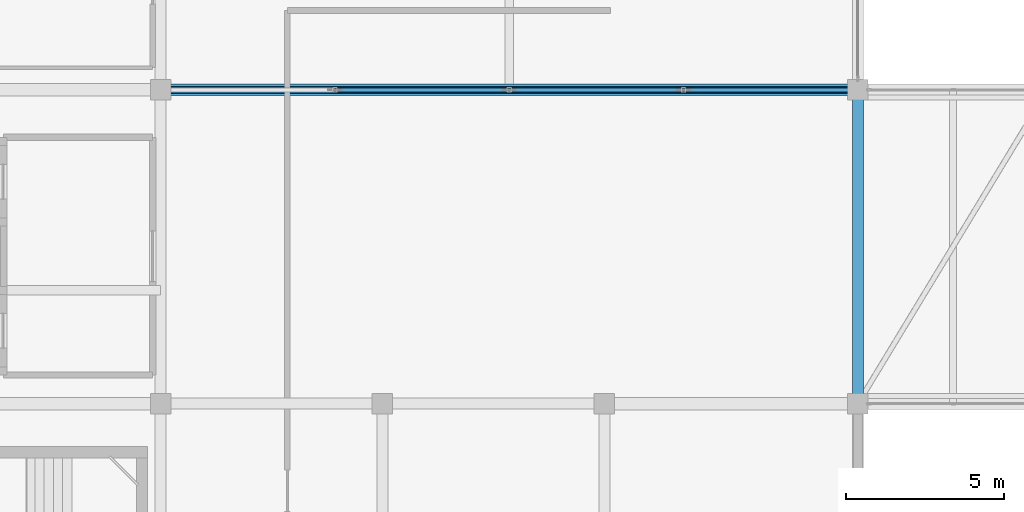
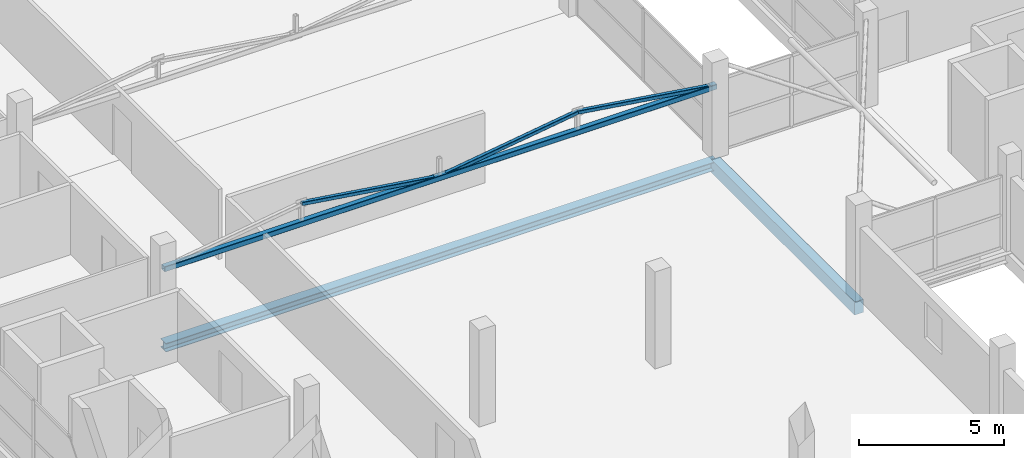
# One storey, part 11 of 70: 4 members, 2 beams.
"""IFC4 building model written with IfcOpenShell, lengths in metres."""

from ifc_helpers import new_model, si_unit, direction, frame, origin, origin_2d, place, context, subcontext, project, spatial, rectangle, hollow_rectangle, i_section, extrude, material, material_profile, profile_set, type_object, element, save


model = new_model("IFC4")

# Units and contexts
model_context = context("Model", 3, precision=1e-05, world=origin(), true_north=direction((0.0, 1.0)))
body_context = subcontext(model_context, "Body", "Model", "MODEL_VIEW")
ifc_project = project(units=[si_unit("LENGTHUNIT", "METRE"), si_unit("AREAUNIT", "SQUARE_METRE"), si_unit("VOLUMEUNIT", "CUBIC_METRE"), si_unit("PLANEANGLEUNIT", "RADIAN"), si_unit("MASSUNIT", "GRAM", prefix="KILO")], contexts=[model_context])

# Site, building, storey
site_placement = place(None, origin())
site = spatial("IfcSite", under=ifc_project, at=site_placement, CompositionType="ELEMENT")
building_placement = place(site_placement, origin())
building = spatial("IfcBuilding", under=site, at=building_placement, Name="Sillaruma Civic Art Gallery", CompositionType="ELEMENT")
storey_placement = place(building_placement, frame((0.0, 0.0, 66.300048828125)))
storey = spatial("IfcBuildingStorey", under=building, at=storey_placement, Name="L13", CompositionType="ELEMENT", Elevation=66.300048828125)

# Beams
ifc_material_1 = material(Name="Concrete H35 (35 MPa)", Category="concrete")
ifc_material_profile_1 = material_profile(ifc_material_1, rectangle(XDim=0.35009765625, YDim=0.550048828125, at=origin_2d()), Name="RCB350x550")
ifc_profile_set_1 = profile_set([ifc_material_profile_1], Name="Concrete H35 (35 MPa)")
beam_type_1 = type_object("IfcBeamType", Name="BM-SPANDREL-RCB350x550", PredefinedType="SPANDREL", material=ifc_profile_set_1)
beam_1_placement = place(storey_placement, frame((92.0, 39.60009765625, -0.505126953125), z_axis=(0.0, 1.0, 0.0), x_axis=(-1.0, 0.0, 0.0)))
element("IfcBeam", 1, at=beam_1_placement, inside=storey, type_object=beam_type_1, Name="Beam BS-04 (L12:K:5-6)", PredefinedType="SPANDREL", context=body_context, shape_type="SweptSolid", body=[
    extrude(rectangle(XDim=0.35009765625, YDim=0.550048828125, at=origin_2d()), origin(), (0.0, 0.0, 1.0), 9.89990234375),
])
ifc_material_2 = material(Name="Structural Steel ASTM A992 Gr.50", Category="steel")
ifc_material_profile_2 = material_profile(ifc_material_2, i_section(OverallWidth=0.37109375, OverallDepth=0.364013671875, WebThickness=0.01318359375, FlangeThickness=0.021728515625, FilletRadius=0.014892578125, at=origin_2d()), Name="W360x162")
ifc_profile_set_2 = profile_set([ifc_material_profile_2], Name="Structural Steel ASTM A992 Gr.50")
beam_type_2 = type_object("IfcBeamType", Name="BM-TRTOP-W360x162", PredefinedType="BEAM", material=ifc_profile_set_2)
beam_2_placement = place(storey_placement, frame((70.0, 49.5, -0.412109375), z_axis=(1.0, 0.0, 0.0), x_axis=(0.0, 1.0, 0.0)))
element("IfcBeam", 2, at=beam_2_placement, inside=storey, type_object=beam_type_2, Name="Warren Truss Top Chord TR-L12-1", PredefinedType="BEAM", context=body_context, shape_type="SweptSolid", body=[
    extrude(i_section(OverallWidth=0.37109375, OverallDepth=0.364013671875, WebThickness=0.01318359375, FlangeThickness=0.021728515625, FilletRadius=0.014892578125, at=origin_2d()), origin(), (0.0, 0.0, 1.0), 22.0),
])

# Members
ifc_material_3 = material(Name="Structural Steel ASTM A500 Gr.C", Category="steel")
ifc_material_profile_3 = material_profile(ifc_material_3, hollow_rectangle(XDim=0.14990234375, YDim=0.14990234375, WallThickness=0.010009765625, InnerFilletRadius=0.010009765625, OuterFilletRadius=0.02001953125, at=origin_2d()), Name="HSS150x150x10")
ifc_profile_set_3 = profile_set([ifc_material_profile_3], Name="Structural Steel ASTM A500 Gr.C")
member_type_1 = type_object("IfcMemberType", Name="MEM-BRACE-HSS150x150x10", PredefinedType="BRACE", material=ifc_profile_set_3)
for number, where, z_axis, x_axis, name in (
    (3, (75.5, 49.5, 3.64794921875), (0.989377720719, 0.0, -0.145367553959), (0.0, 1.0, 0.0), "Warren Truss Diagonal TR-L13-1-D2"),
    (4, (81.0, 49.5, 2.83984375), (0.989377720719, 0.0, 0.145367553959), (0.0, 1.0, 0.0), "Warren Truss Diagonal TR-L13-1-D3"),
    (5, (86.5, 49.5, 3.64794921875), (0.989377720719, 0.0, -0.145367553959), (0.0, 1.0, 0.0), "Warren Truss Diagonal TR-L13-1-D4"),
):
    element("IfcMember", number, at=place(storey_placement, frame(where, z_axis=z_axis, x_axis=x_axis)), inside=storey, type_object=member_type_1, Name=name, PredefinedType="BRACE", context=body_context, shape_type="SweptSolid", body=[
        extrude(hollow_rectangle(XDim=0.14990234375, YDim=0.14990234375, WallThickness=0.010009765625, InnerFilletRadius=0.010009765625, OuterFilletRadius=0.02001953125, at=origin_2d()), origin(), (0.0, 0.0, 1.0), 5.55908203125),
    ])
ifc_material_profile_4 = material_profile(ifc_material_3, hollow_rectangle(XDim=0.219970703125, YDim=0.219970703125, WallThickness=0.012451171875, InnerFilletRadius=0.012451171875, OuterFilletRadius=0.02490234375, at=origin_2d()), Name="HSS220x220x12.5")
ifc_profile_set_4 = profile_set([ifc_material_profile_4], Name="Structural Steel ASTM A500 Gr.C")
member_type_2 = type_object("IfcMemberType", Name="MEM-CHORD-HSS220x220x12.5", PredefinedType="CHORD", material=ifc_profile_set_4)
member_placement = place(storey_placement, frame((70.0, 49.5, 2.83984375), z_axis=(1.0, 0.0, 0.0), x_axis=(0.0, 1.0, 0.0)))
element("IfcMember", 6, at=member_placement, inside=storey, type_object=member_type_2, Name="Warren Truss Bottom Chord TR-L13-1", PredefinedType="CHORD", context=body_context, shape_type="SweptSolid", body=[
    extrude(hollow_rectangle(XDim=0.219970703125, YDim=0.219970703125, WallThickness=0.012451171875, InnerFilletRadius=0.012451171875, OuterFilletRadius=0.02490234375, at=origin_2d()), origin(), (0.0, 0.0, 1.0), 22.0),
])

save(model, "model.ifc")
